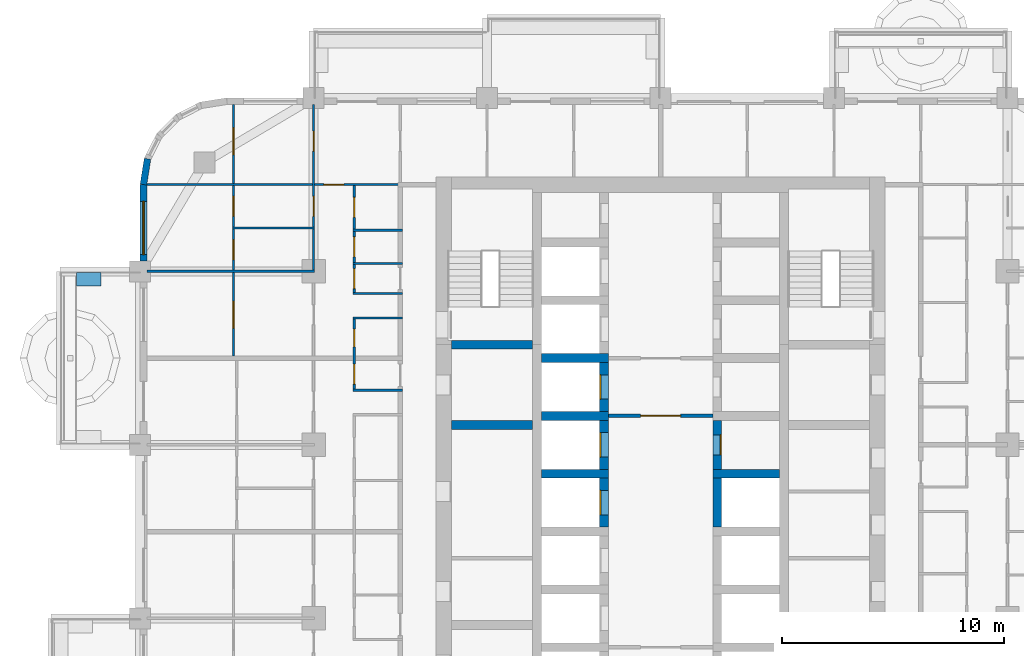
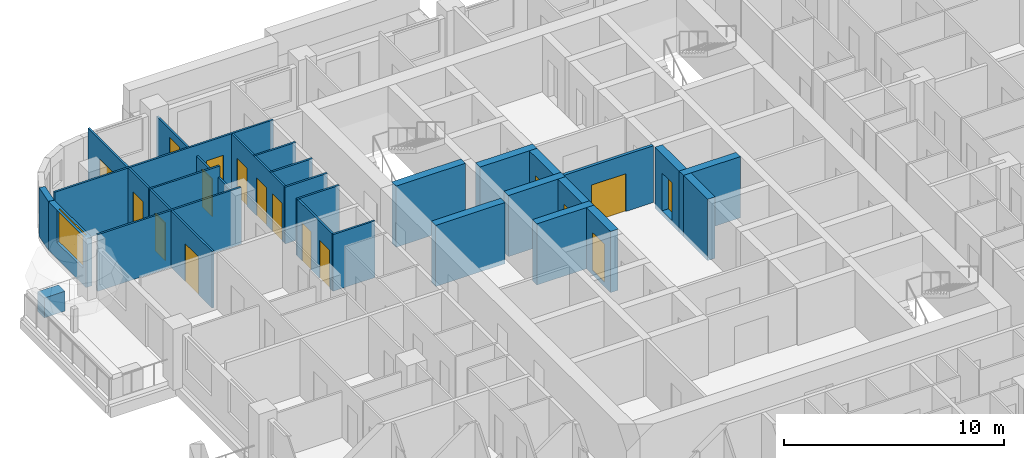
# One storey, part 10 of 19: 27 walls, 17 doors, 1 window, 18 openings.
"""IFC4 building model written with IfcOpenShell, lengths in metres."""

import ifcopenshell
import ifcopenshell.guid

model = None  # the IFC model being written
_history = None  # IfcOwnerHistory: only IFC2X3 demands one
_inside = {}  # id of a spatial element -> (the spatial element, [elements in it])
_under = {}  # id of a project, library or spatial element -> (it, [spatial elements below it])
_declared = {}  # id of a project -> (the project, [libraries it declares])
_typed = {}  # id of a type object -> (the type object, [elements of that type])
_made_of = {}  # id of a material, layer set ... -> (it, [elements and type objects made of it])


def new_model(schema):
    """Start an empty IFC model of exactly this schema.

    Asked for "IFC4X3", IfcOpenShell would pick the latest addendum, in which some entities
    have other attributes; the version numbers below select the first issue.
    IFC2X3 requires an IfcOwnerHistory on every rooted entity: one is made here for all.
    """
    global model, _history
    if schema == "IFC4X3":
        model = ifcopenshell.file(schema_version=(4, 3, 0, 0))
    else:
        model = ifcopenshell.file(schema=schema)
    _inside.clear()
    _under.clear()
    _declared.clear()
    _typed.clear()
    _made_of.clear()
    _history = None
    if model.schema == "IFC2X3":
        org = make("IfcOrganization", Name="unknown")
        user = make(
            "IfcPersonAndOrganization",
            ThePerson=make("IfcPerson", FamilyName="unknown"),
            TheOrganization=org,
        )
        app = make(
            "IfcApplication",
            ApplicationDeveloper=org,
            Version="unknown",
            ApplicationFullName="unknown",
            ApplicationIdentifier="unknown",
        )
        _history = make(
            "IfcOwnerHistory",
            OwningUser=user,
            OwningApplication=app,
            ChangeAction="ADDED",
            CreationDate=0,
        )
    return model


def make(cls, **values):
    """One entity of the class cls with the attributes given. An attribute that is None is left unset."""
    return model.create_entity(
        cls, **{name: value for name, value in values.items() if value is not None}
    )


def rooted(cls, **values):
    """An entity with a GlobalId (a new one), such as an element, a storey or a relation."""
    return make(cls, GlobalId=ifcopenshell.guid.new(), OwnerHistory=_history, **values)


def si_unit(unit_type, name, prefix=None):
    """IfcSIUnit, for example si_unit("LENGTHUNIT", "METRE", prefix="MILLI")."""
    return make("IfcSIUnit", UnitType=unit_type, Prefix=prefix, Name=name)


def assignment(units):
    """IfcUnitAssignment: the units of a project."""
    return None if units is None else make("IfcUnitAssignment", Units=units)


def point(xyz):
    """IfcCartesianPoint."""
    return None if xyz is None else make("IfcCartesianPoint", Coordinates=xyz)


def direction(xyz):
    """IfcDirection."""
    return None if xyz is None else make("IfcDirection", DirectionRatios=xyz)


def frame(location, z_axis=None, x_axis=None):
    """IfcAxis2Placement3D, a coordinate frame: its origin and axes. An axis left out is left unset."""
    return make(
        "IfcAxis2Placement3D",
        Location=point(location),
        Axis=direction(z_axis),
        RefDirection=direction(x_axis),
    )


def frame_2d(location, x_axis=None):
    """IfcAxis2Placement2D, a coordinate frame in the plane: its origin and x axis."""
    return make(
        "IfcAxis2Placement2D", Location=point(location), RefDirection=direction(x_axis)
    )


def origin():
    """The frame at (0, 0, 0) with its axes left unset."""
    return frame((0.0, 0.0, 0.0))


def place(relative_to, where):
    """IfcLocalPlacement: puts the frame where relative to a parent placement (None: the world)."""
    return make(
        "IfcLocalPlacement", PlacementRelTo=relative_to, RelativePlacement=where
    )


def context(
    kind, dimensions, precision=None, world=None, true_north=None, identifier=None
):
    """IfcGeometricRepresentationContext, for example the 3D "Model" context."""
    return make(
        "IfcGeometricRepresentationContext",
        ContextIdentifier=identifier,
        ContextType=kind,
        CoordinateSpaceDimension=dimensions,
        Precision=precision,
        WorldCoordinateSystem=world,
        TrueNorth=true_north,
    )


def subcontext(parent, identifier, kind, view, scale=None):
    """IfcGeometricRepresentationSubContext, for example "Body" below "Model"."""
    return make(
        "IfcGeometricRepresentationSubContext",
        ContextIdentifier=identifier,
        ContextType=kind,
        ParentContext=parent,
        TargetScale=scale,
        TargetView=view,
    )


def project(units=None, contexts=None):
    """IfcProject with its units and contexts."""
    return rooted(
        "IfcProject",
        Name="project",
        RepresentationContexts=contexts,
        UnitsInContext=assignment(units),
    )


def spatial(cls, under=None, at=None, **own):
    """A site, building, storey or space (cls), placed at a placement, below another one or the project."""
    s = rooted(cls, ObjectPlacement=at, **own)
    if under is not None:
        _under.setdefault(under.id(), (under, []))[1].append(s)
    return s


def profile(cls, at=None, kind="AREA", **sizes):
    """A parametric profile (cls). Its sizes go by their IFC names, for example OverallWidth=200.0."""
    return make(cls, ProfileType=kind, Position=at, **sizes)


def rectangle(**sizes):
    """IfcRectangleProfileDef."""
    return profile("IfcRectangleProfileDef", **sizes)


def extrude(swept, where, along, depth):
    """IfcExtrudedAreaSolid: the profile swept, set in the frame where, extruded along a direction by depth."""
    return make(
        "IfcExtrudedAreaSolid",
        SweptArea=swept,
        Position=where,
        ExtrudedDirection=direction(along),
        Depth=depth,
    )


def shape(context_of_items, identifier, shape_type, items):
    """IfcShapeRepresentation: the items that make up one representation, for example the "Body"."""
    return make(
        "IfcShapeRepresentation",
        ContextOfItems=context_of_items,
        RepresentationIdentifier=identifier,
        RepresentationType=shape_type,
        Items=items,
    )


def material(Name=None, Category=None):
    """IfcMaterial."""
    return make("IfcMaterial", Name=Name, Category=Category)


def layer(
    of_material, thickness, ventilated=None, Name=None, Category=None, Priority=None
):
    """IfcMaterialLayer: one layer of a wall or slab, of a material (None: an air gap)."""
    return make(
        "IfcMaterialLayer",
        Material=of_material,
        LayerThickness=thickness,
        IsVentilated=ventilated,
        Name=Name,
        Category=Category,
        Priority=Priority,
    )


def layer_set(layers, Name=None):
    """IfcMaterialLayerSet."""
    return make("IfcMaterialLayerSet", MaterialLayers=layers, LayerSetName=Name)


def made_of(thing, what):
    """Note that an element or type object is made of a material, layer set ...; save() writes the relation."""
    if what is not None:
        _made_of.setdefault(what.id(), (what, []))[1].append(thing)
    return thing


def type_object(cls, material=None, **own):
    """A type object (cls), such as IfcWallType, which elements share."""
    return made_of(rooted(cls, **own), material)


def element(
    cls,
    number,
    at=None,
    inside=None,
    cuts=None,
    type_object=None,
    material=None,
    context=None,
    identifier="Body",
    shape_type=None,
    held_by="IfcProductDefinitionShape",
    body=None,
    shapes=None,
    **own,
):
    """One element of the class cls, such as IfcWall. Its Tag is "e" and its number.

    at: its placement. inside: the storey or other place that contains it. cuts: it is an
    opening in that element (IfcRelVoidsElement). A single representation is given by context,
    identifier, shape_type and body (its items); several are given by shapes. held_by: the class
    of the entity that holds the representations. save() writes the other relations.
    """
    e = rooted(cls, Tag="e%d" % number, ObjectPlacement=at, **own)
    if body is not None:
        shapes = [shape(context, identifier, shape_type, body)]
    if shapes is not None:
        e.Representation = make(held_by, Representations=shapes)
    if inside is not None:
        _inside.setdefault(inside.id(), (inside, []))[1].append(e)
    if cuts is not None:
        rooted(
            "IfcRelVoidsElement", RelatingBuildingElement=cuts, RelatedOpeningElement=e
        )
    if type_object is not None:
        _typed.setdefault(type_object.id(), (type_object, []))[1].append(e)
    return made_of(e, material)


def fill(opening, filler):
    """IfcRelFillsElement: the door or window that sits in an opening."""
    return rooted(
        "IfcRelFillsElement",
        RelatingOpeningElement=opening,
        RelatedBuildingElement=filler,
    )


def aggregate(whole, parts):
    """IfcRelAggregates: a whole, such as a stair, and the parts it consists of."""
    return rooted("IfcRelAggregates", RelatingObject=whole, RelatedObjects=parts)


def save(model, path):
    """Write the relations noted so far, then the file.

    IfcRelAggregates (storeys below a building ...), IfcRelContainedInSpatialStructure (elements
    in a storey), IfcRelDefinesByType, IfcRelAssociatesMaterial and IfcRelDeclares: one each for
    every whole, place, type object, material and project.
    """
    for whole, parts in _under.values():
        aggregate(whole, parts)
    for where, things in _inside.values():
        rooted(
            "IfcRelContainedInSpatialStructure",
            RelatedElements=things,
            RelatingStructure=where,
        )
    for kind, things in _typed.values():
        rooted("IfcRelDefinesByType", RelatedObjects=things, RelatingType=kind)
    for what, things in _made_of.values():
        rooted("IfcRelAssociatesMaterial", RelatedObjects=things, RelatingMaterial=what)
    for by, libraries in _declared.values():
        rooted("IfcRelDeclares", RelatingContext=by, RelatedDefinitions=libraries)
    model.write(path)


model = new_model("IFC4")

# Units and contexts
model_context = context("Model", 3, precision=1e-05, world=origin(), true_north=direction((0.0, 1.0)))
body_context = subcontext(model_context, "Body", "Model", "MODEL_VIEW")
ifc_project = project(units=[si_unit("LENGTHUNIT", "METRE"), si_unit("AREAUNIT", "SQUARE_METRE"), si_unit("VOLUMEUNIT", "CUBIC_METRE"), si_unit("PLANEANGLEUNIT", "RADIAN"), si_unit("MASSUNIT", "GRAM", prefix="KILO")], contexts=[model_context])

# Site, building, storey
site_placement = place(None, origin())
site = spatial("IfcSite", under=ifc_project, at=site_placement, CompositionType="ELEMENT")
building_placement = place(site_placement, origin())
building = spatial("IfcBuilding", under=site, at=building_placement, Name="Ludao Terraces", CompositionType="ELEMENT")
storey_placement = place(building_placement, frame((0.0, 0.0, 68.199951171875)))
storey = spatial("IfcBuildingStorey", under=building, at=storey_placement, Name="L18", CompositionType="ELEMENT", Elevation=68.199951171875)

# Wall
ifc_material_1 = material(Name="Concrete C40", Category="concrete")
ifc_layer_1 = layer(ifc_material_1, 0.60009765625)
ifc_layer_set_1 = layer_set([ifc_layer_1], Name="ENV Planter trough 600")
wall_type_1 = type_object("IfcWallType", Name="ENV Planter trough 600", PredefinedType="USERDEFINED", material=ifc_layer_set_1)
wall_1_placement = place(storey_placement, frame((58.75, 80.25, 0.0), z_axis=(0.0, 0.0, 1.0), x_axis=(1.0, 0.0, 0.0)))
element("IfcWall", 1, at=wall_1_placement, inside=storey, type_object=wall_type_1, Name="PL-L18-W4-SB", ObjectType="PLANTER", PredefinedType="USERDEFINED", context=body_context, shape_type="SweptSolid", body=[
    extrude(rectangle(XDim=1.10009765625, YDim=0.60009765625, at=frame_2d((0.550048828125, 0.0))), origin(), (0.0, 0.0, 1.0), 1.10009765625),
])

# Wall, opening, window
ifc_material_2 = material(Name="Granite cladding", Category="masonry")
ifc_layer_2 = layer(ifc_material_2, 0.0400390625, Category="stone")
ifc_material_3 = material(Name="Mineral wool")
ifc_layer_3 = layer(ifc_material_3, 0.06005859375)
ifc_layer_4 = layer(ifc_material_1, 0.199951171875, Category="concrete")
ifc_layer_set_2 = layer_set([ifc_layer_2, ifc_layer_3, ifc_layer_4], Name="ENV Stone-clad wall 300")
wall_type_2 = type_object("IfcWallType", Name="ENV Stone-clad wall 300", PredefinedType="SOLIDWALL", material=ifc_layer_set_2)
wall_2_placement = place(storey_placement, frame((61.75, 81.074951171875, 0.0), z_axis=(0.0, 0.0, 1.0), x_axis=(0.0, 1.0, 0.0)))
wall_2 = element("IfcWall", 2, at=wall_2_placement, inside=storey, type_object=wall_type_2, Name="EW-L18-W6", PredefinedType="SOLIDWALL", context=body_context, shape_type="SweptSolid", body=[
    extrude(rectangle(XDim=3.425048828125, YDim=0.300048828125, at=frame_2d((1.71240234375, 0.0))), origin(), (0.0, 0.0, 1.0), 2.699951171875),
])
opening_1_placement = place(wall_2_placement, frame((0.27490234375, 0.0, 0.89990234375)))
opening_1 = element("IfcOpeningElement", 3, at=opening_1_placement, cuts=wall_2, Name="Opening W1", PredefinedType="OPENING", context=body_context, shape_type="SweptSolid", body=[
    extrude(rectangle(XDim=2.39990234375, YDim=1.800048828125, at=frame_2d((1.199951171875, 0.89990234375))), frame((0.0, 0.16015625, 0.0), z_axis=(0.0, -1.0, 0.0), x_axis=(1.0, 0.0, 0.0)), (0.0, 0.0, 1.0), 0.320068359375),
])
ifc_material_4 = material(Name="Clear glass in aluminium frame", Category="aluminium")
ifc_layer_5 = layer(ifc_material_4, 0.06005859375)
ifc_layer_set_3 = layer_set([ifc_layer_5], Name="ENV Window W1 2400x1800")
window_type = type_object("IfcWindowType", Name="ENV Window W1 2400x1800", PartitioningType="DOUBLE_PANEL_VERTICAL", PredefinedType="WINDOW", material=ifc_layer_set_3)
window_placement = place(opening_1_placement, origin())
window = element("IfcWindow", 4, at=window_placement, inside=storey, type_object=window_type, Name="W-L18-W6-1", OverallHeight=1.800048828125, OverallWidth=2.39990234375, PartitioningType="DOUBLE_PANEL_VERTICAL", PredefinedType="WINDOW", context=body_context, shape_type="SweptSolid", body=[
    extrude(rectangle(XDim=2.39990234375, YDim=1.800048828125, at=frame_2d((1.199951171875, 0.89990234375))), frame((0.0, 0.030029296875, 0.0), z_axis=(0.0, -1.0, 0.0), x_axis=(1.0, 0.0, 0.0)), (0.0, 0.0, 1.0), 0.06005859375),
])
fill(opening_1, window)

# Wall
wall_3_placement = place(storey_placement, frame((61.93359375, 85.65869140625, 0.0), z_axis=(0.0, 0.0, 1.0), x_axis=(-0.156496880861, -0.987678452879, 0.0)))
element("IfcWall", 5, at=wall_3_placement, inside=storey, type_object=wall_type_2, Name="EW-L18-NW5", PredefinedType="SOLIDWALL", context=body_context, shape_type="SweptSolid", body=[
    extrude(rectangle(XDim=1.173095703125, YDim=0.300048828125, at=frame_2d((0.58642578125, 0.0))), origin(), (0.0, 0.0, 1.0), 2.699951171875),
])

# Wall, opening, door
ifc_material_5 = material(Name="Fire-rated gypsum plasterboard", Category="gypsum")
ifc_layer_6 = layer(ifc_material_5, 0.012451171875, Category="gypsum")
ifc_layer_7 = layer(ifc_material_3, 0.10009765625, Name="insulation")
ifc_material_6 = material(Name="Steel Q235", Category="steel")
ifc_layer_8 = layer(ifc_material_6, 0.02490234375, Name="stud")
ifc_layer_9 = layer(ifc_material_5, 0.012451171875, Category="gypsum")
ifc_layer_set_4 = layer_set([ifc_layer_6, ifc_layer_7, ifc_layer_8, ifc_layer_9], Name="INT Core partition 150")
wall_type_3 = type_object("IfcWallType", Name="INT Core partition 150", PredefinedType="PARTITIONING", material=ifc_layer_set_4)
wall_4_placement = place(storey_placement, frame((82.650146484375, 74.10009765625, 0.0), z_axis=(0.0, 0.0, 1.0), x_axis=(1.0, 0.0, 0.0)))
wall_4 = element("IfcWall", 6, at=wall_4_placement, inside=storey, type_object=wall_type_3, Name="PW-L18-PW058", PredefinedType="PARTITIONING", context=body_context, shape_type="SweptSolid", body=[
    extrude(rectangle(XDim=4.699951171875, YDim=0.14990234375, at=frame_2d((2.35009765625, 0.0))), origin(), (0.0, 0.0, 1.0), 3.150146484375),
])
opening_2_placement = place(wall_4_placement, frame((1.449951171875, 0.0, 0.0)))
opening_2 = element("IfcOpeningElement", 7, at=opening_2_placement, cuts=wall_4, Name="Opening R05-118", PredefinedType="OPENING", context=body_context, shape_type="SweptSolid", body=[
    extrude(rectangle(XDim=1.800048828125, YDim=2.10009765625, at=frame_2d((0.89990234375, 1.050048828125))), frame((0.0, 0.0849609375, 0.0), z_axis=(0.0, -1.0, 0.0), x_axis=(1.0, 0.0, 0.0)), (0.0, 0.0, 1.0), 0.169921875),
])
door_type_1 = type_object("IfcDoorType", Name="INT Fire lobby door 1800", OperationType="DOUBLE_DOOR_SINGLE_SWING", PredefinedType="DOOR", material=ifc_material_6)
door_1_placement = place(opening_2_placement, origin())
door_1 = element("IfcDoor", 8, at=door_1_placement, inside=storey, type_object=door_type_1, Name="DOOR 118", OperationType="DOUBLE_DOOR_SINGLE_SWING", OverallHeight=2.10009765625, OverallWidth=1.800048828125, PredefinedType="DOOR", context=body_context, shape_type="SweptSolid", body=[
    extrude(rectangle(XDim=1.800048828125, YDim=2.10009765625, at=frame_2d((0.89990234375, 1.050048828125))), frame((0.0, 0.02490234375, 0.0), z_axis=(0.0, -1.0, 0.0), x_axis=(1.0, 0.0, 0.0)), (0.0, 0.0, 1.0), 0.050048828125),
])
fill(opening_2, door_1)

# Walls
ifc_material_7 = material(Name="Gypsum plasterboard", Category="gypsum")
ifc_layer_10 = layer(ifc_material_7, 0.012451171875, Category="gypsum")
ifc_layer_11 = layer(ifc_material_3, 0.06005859375, Name="insulation")
ifc_layer_12 = layer(ifc_material_6, 0.014892578125, Name="stud")
ifc_layer_13 = layer(ifc_material_7, 0.012451171875, Category="gypsum")
ifc_layer_set_5 = layer_set([ifc_layer_10, ifc_layer_11, ifc_layer_12, ifc_layer_13], Name="INT Partition 100")
wall_type_4 = type_object("IfcWallType", Name="INT Partition 100", PredefinedType="PARTITIONING", material=ifc_layer_set_5)
for number, where, z_axis, x_axis, name in (
    (9, (71.18017578125, 75.25, 0.0), (0.0, 0.0, 1.0), (1.0, 0.0, 0.0), "PW-L18-PW062"),
    (10, (71.18017578125, 78.5, 0.0), (0.0, 0.0, 1.0), (1.0, 0.0, 0.0), "PW-L18-PW067"),
    (11, (71.18017578125, 79.60009765625, 0.0), (0.0, 0.0, 1.0), (1.0, 0.0, 0.0), "PW-L18-PW069"),
):
    element("IfcWall", number, at=place(storey_placement, frame(where, z_axis=z_axis, x_axis=x_axis)), inside=storey, type_object=wall_type_4, Name=name, PredefinedType="PARTITIONING", context=body_context, shape_type="SweptSolid", body=[
        extrude(rectangle(XDim=2.219970703125, YDim=0.10009765625, at=frame_2d((1.10986328125, 0.0))), origin(), (0.0, 0.0, 1.0), 3.150146484375),
    ])
wall_5_placement = place(storey_placement, frame((61.900146484375, 80.60009765625, 0.0), z_axis=(0.0, 0.0, 1.0), x_axis=(1.0, 0.0, 0.0)))
element("IfcWall", 12, at=wall_5_placement, inside=storey, type_object=wall_type_4, Name="PW-L18-PW070", PredefinedType="PARTITIONING", context=body_context, shape_type="SweptSolid", body=[
    extrude(rectangle(XDim=7.550048828125, YDim=0.10009765625, at=frame_2d((3.77490234375, 0.0))), origin(), (0.0, 0.0, 1.0), 3.150146484375),
])
for number, where, z_axis, x_axis, name in (
    (13, (71.18017578125, 80.949951171875, 0.0), (0.0, 0.0, 1.0), (1.0, 0.0, 0.0), "PW-L18-PW072"),
    (14, (71.18017578125, 82.449951171875, 0.0), (0.0, 0.0, 1.0), (1.0, 0.0, 0.0), "PW-L18-PW074"),
):
    element("IfcWall", number, at=place(storey_placement, frame(where, z_axis=z_axis, x_axis=x_axis)), inside=storey, type_object=wall_type_4, Name=name, PredefinedType="PARTITIONING", context=body_context, shape_type="SweptSolid", body=[
        extrude(rectangle(XDim=2.219970703125, YDim=0.10009765625, at=frame_2d((1.10986328125, 0.0))), origin(), (0.0, 0.0, 1.0), 3.150146484375),
    ])
wall_6_placement = place(storey_placement, frame((65.75, 82.550048828125, 0.0), z_axis=(0.0, 0.0, 1.0), x_axis=(1.0, 0.0, 0.0)))
element("IfcWall", 15, at=wall_6_placement, inside=storey, type_object=wall_type_4, Name="PW-L18-PW075", PredefinedType="PARTITIONING", context=body_context, shape_type="SweptSolid", body=[
    extrude(rectangle(XDim=3.7001953125, YDim=0.10009765625, at=frame_2d((1.85009765625, 0.0))), origin(), (0.0, 0.0, 1.0), 3.150146484375),
])

# Wall, opening, door
wall_7_placement = place(storey_placement, frame((61.900146484375, 84.5, 0.0), z_axis=(0.0, 0.0, 1.0), x_axis=(1.0, 0.0, 0.0)))
wall_7 = element("IfcWall", 16, at=wall_7_placement, inside=storey, type_object=wall_type_4, Name="PW-L18-PW077", PredefinedType="PARTITIONING", context=body_context, shape_type="SweptSolid", body=[
    extrude(rectangle(XDim=11.5, YDim=0.10009765625, at=frame_2d((5.75, 0.0))), origin(), (0.0, 0.0, 1.0), 3.150146484375),
])
opening_3_placement = place(wall_7_placement, frame((7.965087890625, 0.0, 0.0)))
opening_3 = element("IfcOpeningElement", 17, at=opening_3_placement, cuts=wall_7, Name="Opening R05-157", PredefinedType="OPENING", context=body_context, shape_type="SweptSolid", body=[
    extrude(rectangle(XDim=0.89990234375, YDim=2.10009765625, at=frame_2d((0.449951171875, 1.050048828125))), frame((0.0, 0.06005859375, 0.0), z_axis=(0.0, -1.0, 0.0), x_axis=(1.0, 0.0, 0.0)), (0.0, 0.0, 1.0), 0.1201171875),
])
ifc_material_8 = material(Name="Timber door leaf", Category="wood")
door_type_2 = type_object("IfcDoorType", Name="INT Room door 900", OperationType="SINGLE_SWING_LEFT", PredefinedType="DOOR", material=ifc_material_8)
door_2_placement = place(opening_3_placement, origin())
door_2 = element("IfcDoor", 18, at=door_2_placement, inside=storey, type_object=door_type_2, Name="DOOR 157", OperationType="SINGLE_SWING_RIGHT", OverallHeight=2.10009765625, OverallWidth=0.89990234375, PredefinedType="DOOR", context=body_context, shape_type="SweptSolid", body=[
    extrude(rectangle(XDim=0.89990234375, YDim=2.10009765625, at=frame_2d((0.449951171875, 1.050048828125))), frame((0.0, 0.02490234375, 0.0), z_axis=(0.0, -1.0, 0.0), x_axis=(1.0, 0.0, 0.0)), (0.0, 0.0, 1.0), 0.050048828125),
])
fill(opening_3, door_2)

# Wall, openings, doors
wall_8_placement = place(storey_placement, frame((65.800048828125, 76.800048828125, 0.0), z_axis=(0.0, 0.0, 1.0), x_axis=(0.0, 1.0, 0.0)))
wall_8 = element("IfcWall", 19, at=wall_8_placement, inside=storey, type_object=wall_type_4, Name="PW-L18-PW082", PredefinedType="PARTITIONING", context=body_context, shape_type="SweptSolid", body=[
    extrude(rectangle(XDim=11.300048828125, YDim=0.10009765625, at=frame_2d((5.64990234375, 0.0))), origin(), (0.0, 0.0, 1.0), 3.150146484375),
])
opening_4_placement = place(wall_8_placement, frame((1.25, 0.0, 0.0)))
opening_4 = element("IfcOpeningElement", 20, at=opening_4_placement, cuts=wall_8, Name="Opening R05-137", PredefinedType="OPENING", context=body_context, shape_type="SweptSolid", body=[
    extrude(rectangle(XDim=1.199951171875, YDim=2.10009765625, at=frame_2d((0.60009765625, 1.050048828125))), frame((0.0, 0.06005859375, 0.0), z_axis=(0.0, -1.0, 0.0), x_axis=(1.0, 0.0, 0.0)), (0.0, 0.0, 1.0), 0.1201171875),
])
opening_5_placement = place(wall_8_placement, frame((4.324951171875, 0.0, 0.0)))
opening_5 = element("IfcOpeningElement", 21, at=opening_5_placement, cuts=wall_8, Name="Opening R05-146", PredefinedType="OPENING", context=body_context, shape_type="SweptSolid", body=[
    extrude(rectangle(XDim=0.89990234375, YDim=2.10009765625, at=frame_2d((0.449951171875, 1.050048828125))), frame((0.0, 0.06005859375, 0.0), z_axis=(0.0, -1.0, 0.0), x_axis=(1.0, 0.0, 0.0)), (0.0, 0.0, 1.0), 0.1201171875),
])
opening_6_placement = place(wall_8_placement, frame((6.27490234375, 0.0, 0.0)))
opening_6 = element("IfcOpeningElement", 22, at=opening_6_placement, cuts=wall_8, Name="Opening R05-153", PredefinedType="OPENING", context=body_context, shape_type="SweptSolid", body=[
    extrude(rectangle(XDim=0.89990234375, YDim=2.10009765625, at=frame_2d((0.449951171875, 1.050048828125))), frame((0.0, 0.06005859375, 0.0), z_axis=(0.0, -1.0, 0.0), x_axis=(1.0, 0.0, 0.0)), (0.0, 0.0, 1.0), 0.1201171875),
])
opening_7_placement = place(wall_8_placement, frame((9.050048828125, 0.0, 0.0)))
opening_7 = element("IfcOpeningElement", 23, at=opening_7_placement, cuts=wall_8, Name="Opening R05-159", PredefinedType="OPENING", context=body_context, shape_type="SweptSolid", body=[
    extrude(rectangle(XDim=1.199951171875, YDim=2.10009765625, at=frame_2d((0.60009765625, 1.050048828125))), frame((0.0, 0.06005859375, 0.0), z_axis=(0.0, -1.0, 0.0), x_axis=(1.0, 0.0, 0.0)), (0.0, 0.0, 1.0), 0.1201171875),
])
door_type_3 = type_object("IfcDoorType", Name="INT Bathroom door 900", OperationType="SINGLE_SWING_LEFT", PredefinedType="DOOR", material=ifc_material_8)
door_3_placement = place(opening_5_placement, origin())
door_3 = element("IfcDoor", 24, at=door_3_placement, inside=storey, type_object=door_type_3, Name="DOOR 146", OperationType="SINGLE_SWING_RIGHT", OverallHeight=2.10009765625, OverallWidth=0.89990234375, PredefinedType="DOOR", context=body_context, shape_type="SweptSolid", body=[
    extrude(rectangle(XDim=0.89990234375, YDim=2.10009765625, at=frame_2d((0.449951171875, 1.050048828125))), frame((0.0, 0.02490234375, 0.0), z_axis=(0.0, -1.0, 0.0), x_axis=(1.0, 0.0, 0.0)), (0.0, 0.0, 1.0), 0.050048828125),
])
fill(opening_5, door_3)
door_type_4 = type_object("IfcDoorType", Name="INT Double door 1200", OperationType="DOUBLE_DOOR_SINGLE_SWING", PredefinedType="DOOR", material=ifc_material_8)
door_4_placement = place(opening_4_placement, origin())
door_4 = element("IfcDoor", 25, at=door_4_placement, inside=storey, type_object=door_type_4, Name="DOOR 137", OperationType="DOUBLE_DOOR_SINGLE_SWING", OverallHeight=2.10009765625, OverallWidth=1.199951171875, PredefinedType="DOOR", context=body_context, shape_type="SweptSolid", body=[
    extrude(rectangle(XDim=1.199951171875, YDim=2.10009765625, at=frame_2d((0.60009765625, 1.050048828125))), frame((0.0, 0.02490234375, 0.0), z_axis=(0.0, -1.0, 0.0), x_axis=(1.0, 0.0, 0.0)), (0.0, 0.0, 1.0), 0.050048828125),
])
fill(opening_4, door_4)
door_5_placement = place(opening_7_placement, origin())
door_5 = element("IfcDoor", 26, at=door_5_placement, inside=storey, type_object=door_type_4, Name="DOOR 159", OperationType="DOUBLE_DOOR_SINGLE_SWING", OverallHeight=2.10009765625, OverallWidth=1.199951171875, PredefinedType="DOOR", context=body_context, shape_type="SweptSolid", body=[
    extrude(rectangle(XDim=1.199951171875, YDim=2.10009765625, at=frame_2d((0.60009765625, 1.050048828125))), frame((0.0, 0.02490234375, 0.0), z_axis=(0.0, -1.0, 0.0), x_axis=(1.0, 0.0, 0.0)), (0.0, 0.0, 1.0), 0.050048828125),
])
fill(opening_7, door_5)
door_6_placement = place(opening_6_placement, origin())
door_6 = element("IfcDoor", 27, at=door_6_placement, inside=storey, type_object=door_type_2, Name="DOOR 153", OperationType="SINGLE_SWING_RIGHT", OverallHeight=2.10009765625, OverallWidth=0.89990234375, PredefinedType="DOOR", context=body_context, shape_type="SweptSolid", body=[
    extrude(rectangle(XDim=0.89990234375, YDim=2.10009765625, at=frame_2d((0.449951171875, 1.050048828125))), frame((0.0, 0.02490234375, 0.0), z_axis=(0.0, -1.0, 0.0), x_axis=(1.0, 0.0, 0.0)), (0.0, 0.0, 1.0), 0.050048828125),
])
fill(opening_6, door_6)

wall_9_placement = place(storey_placement, frame((69.39990234375, 80.60009765625, 0.0), z_axis=(0.0, 0.0, 1.0), x_axis=(0.0, 1.0, 0.0)))
wall_9 = element("IfcWall", 28, at=wall_9_placement, inside=storey, type_object=wall_type_4, Name="PW-L18-PW085-3", PredefinedType="PARTITIONING", context=body_context, shape_type="SweptSolid", body=[
    extrude(rectangle(XDim=7.5, YDim=0.10009765625, at=frame_2d((3.75, 0.0))), origin(), (0.0, 0.0, 1.0), 2.550048828125),
])
opening_8_placement = place(wall_9_placement, frame((2.47509765625, 0.0, 0.0)))
opening_8 = element("IfcOpeningElement", 29, at=opening_8_placement, cuts=wall_9, Name="Opening R05-154", PredefinedType="OPENING", context=body_context, shape_type="SweptSolid", body=[
    extrude(rectangle(XDim=0.89990234375, YDim=2.10009765625, at=frame_2d((0.449951171875, 1.050048828125))), frame((0.0, 0.06005859375, 0.0), z_axis=(0.0, -1.0, 0.0), x_axis=(1.0, 0.0, 0.0)), (0.0, 0.0, 1.0), 0.1201171875),
])
opening_9_placement = place(wall_9_placement, frame((5.39990234375, 0.0, 0.0)))
opening_9 = element("IfcOpeningElement", 30, at=opening_9_placement, cuts=wall_9, Name="Opening R05-160", PredefinedType="OPENING", context=body_context, shape_type="SweptSolid", body=[
    extrude(rectangle(XDim=0.89990234375, YDim=2.10009765625, at=frame_2d((0.449951171875, 1.050048828125))), frame((0.0, 0.06005859375, 0.0), z_axis=(0.0, -1.0, 0.0), x_axis=(1.0, 0.0, 0.0)), (0.0, 0.0, 1.0), 0.1201171875),
])
door_7_placement = place(opening_8_placement, origin())
door_7 = element("IfcDoor", 31, at=door_7_placement, inside=storey, type_object=door_type_2, Name="DOOR 154", OperationType="SINGLE_SWING_LEFT", OverallHeight=2.10009765625, OverallWidth=0.89990234375, PredefinedType="DOOR", context=body_context, shape_type="SweptSolid", body=[
    extrude(rectangle(XDim=0.89990234375, YDim=2.10009765625, at=frame_2d((0.449951171875, 1.050048828125))), frame((0.0, 0.02490234375, 0.0), z_axis=(0.0, -1.0, 0.0), x_axis=(1.0, 0.0, 0.0)), (0.0, 0.0, 1.0), 0.050048828125),
])
fill(opening_8, door_7)
door_8_placement = place(opening_9_placement, origin())
door_8 = element("IfcDoor", 32, at=door_8_placement, inside=storey, type_object=door_type_2, Name="DOOR 160", OperationType="SINGLE_SWING_RIGHT", OverallHeight=2.10009765625, OverallWidth=0.89990234375, PredefinedType="DOOR", context=body_context, shape_type="SweptSolid", body=[
    extrude(rectangle(XDim=0.89990234375, YDim=2.10009765625, at=frame_2d((0.449951171875, 1.050048828125))), frame((0.0, 0.02490234375, 0.0), z_axis=(0.0, -1.0, 0.0), x_axis=(1.0, 0.0, 0.0)), (0.0, 0.0, 1.0), 0.050048828125),
])
fill(opening_9, door_8)

wall_10_placement = place(storey_placement, frame((71.22998046875, 75.300048828125, 0.0), z_axis=(0.0, 0.0, 1.0), x_axis=(0.0, 1.0, 0.0)))
wall_10 = element("IfcWall", 33, at=wall_10_placement, inside=storey, type_object=wall_type_4, Name="PW-L18-PW089", PredefinedType="PARTITIONING", context=body_context, shape_type="SweptSolid", body=[
    extrude(rectangle(XDim=3.150146484375, YDim=0.10009765625, at=frame_2d((1.5751953125, 0.0))), origin(), (0.0, 0.0, 1.0), 3.150146484375),
])
opening_10_placement = place(wall_10_placement, frame((0.22509765625, 0.0, 0.0)))
opening_10 = element("IfcOpeningElement", 34, at=opening_10_placement, cuts=wall_10, Name="Opening R05-128", PredefinedType="OPENING", context=body_context, shape_type="SweptSolid", body=[
    extrude(rectangle(XDim=0.89990234375, YDim=2.10009765625, at=frame_2d((0.449951171875, 1.050048828125))), frame((0.0, 0.06005859375, 0.0), z_axis=(0.0, -1.0, 0.0), x_axis=(1.0, 0.0, 0.0)), (0.0, 0.0, 1.0), 0.1201171875),
])
opening_11_placement = place(wall_10_placement, frame((1.89990234375, 0.0, 0.0)))
opening_11 = element("IfcOpeningElement", 35, at=opening_11_placement, cuts=wall_10, Name="Opening R05-132", PredefinedType="OPENING", context=body_context, shape_type="SweptSolid", body=[
    extrude(rectangle(XDim=0.800048828125, YDim=2.10009765625, at=frame_2d((0.39990234375, 1.050048828125))), frame((0.0, 0.06005859375, 0.0), z_axis=(0.0, -1.0, 0.0), x_axis=(1.0, 0.0, 0.0)), (0.0, 0.0, 1.0), 0.1201171875),
])
door_9_placement = place(opening_10_placement, origin())
door_9 = element("IfcDoor", 36, at=door_9_placement, inside=storey, type_object=door_type_3, Name="DOOR 128", OperationType="SINGLE_SWING_LEFT", OverallHeight=2.10009765625, OverallWidth=0.89990234375, PredefinedType="DOOR", context=body_context, shape_type="SweptSolid", body=[
    extrude(rectangle(XDim=0.89990234375, YDim=2.10009765625, at=frame_2d((0.449951171875, 1.050048828125))), frame((0.0, 0.02490234375, 0.0), z_axis=(0.0, -1.0, 0.0), x_axis=(1.0, 0.0, 0.0)), (0.0, 0.0, 1.0), 0.050048828125),
])
fill(opening_10, door_9)
door_type_5 = type_object("IfcDoorType", Name="INT Store door 800", OperationType="SINGLE_SWING_LEFT", PredefinedType="DOOR", material=ifc_material_8)
door_10_placement = place(opening_11_placement, origin())
door_10 = element("IfcDoor", 37, at=door_10_placement, inside=storey, type_object=door_type_5, Name="DOOR 132", OperationType="SINGLE_SWING_RIGHT", OverallHeight=2.10009765625, OverallWidth=0.800048828125, PredefinedType="DOOR", context=body_context, shape_type="SweptSolid", body=[
    extrude(rectangle(XDim=0.800048828125, YDim=2.10009765625, at=frame_2d((0.39990234375, 1.050048828125))), frame((0.0, 0.02490234375, 0.0), z_axis=(0.0, -1.0, 0.0), x_axis=(1.0, 0.0, 0.0)), (0.0, 0.0, 1.0), 0.050048828125),
])
fill(opening_11, door_10)

wall_11_placement = place(storey_placement, frame((71.22998046875, 79.650146484375, 0.0), z_axis=(0.0, 0.0, 1.0), x_axis=(0.0, 1.0, 0.0)))
wall_11 = element("IfcWall", 38, at=wall_11_placement, inside=storey, type_object=wall_type_4, Name="PW-L18-PW090", PredefinedType="PARTITIONING", context=body_context, shape_type="SweptSolid", body=[
    extrude(rectangle(XDim=4.800048828125, YDim=0.10009765625, at=frame_2d((2.39990234375, 0.0))), origin(), (0.0, 0.0, 1.0), 3.150146484375),
])
opening_12_placement = place(wall_11_placement, frame((0.175048828125, 0.0, 0.0)))
opening_12 = element("IfcOpeningElement", 39, at=opening_12_placement, cuts=wall_11, Name="Opening R05-141", PredefinedType="OPENING", context=body_context, shape_type="SweptSolid", body=[
    extrude(rectangle(XDim=0.89990234375, YDim=2.10009765625, at=frame_2d((0.449951171875, 1.050048828125))), frame((0.0, 0.06005859375, 0.0), z_axis=(0.0, -1.0, 0.0), x_axis=(1.0, 0.0, 0.0)), (0.0, 0.0, 1.0), 0.1201171875),
])
opening_13_placement = place(wall_11_placement, frame((1.60009765625, 0.0, 0.0)))
opening_13 = element("IfcOpeningElement", 40, at=opening_13_placement, cuts=wall_11, Name="Opening R05-148", PredefinedType="OPENING", context=body_context, shape_type="SweptSolid", body=[
    extrude(rectangle(XDim=0.89990234375, YDim=2.10009765625, at=frame_2d((0.449951171875, 1.050048828125))), frame((0.0, 0.06005859375, 0.0), z_axis=(0.0, -1.0, 0.0), x_axis=(1.0, 0.0, 0.0)), (0.0, 0.0, 1.0), 0.1201171875),
])
opening_14_placement = place(wall_11_placement, frame((3.375, 0.0, 0.0)))
opening_14 = element("IfcOpeningElement", 41, at=opening_14_placement, cuts=wall_11, Name="Opening R05-152", PredefinedType="OPENING", context=body_context, shape_type="SweptSolid", body=[
    extrude(rectangle(XDim=0.89990234375, YDim=2.10009765625, at=frame_2d((0.449951171875, 1.050048828125))), frame((0.0, 0.06005859375, 0.0), z_axis=(0.0, -1.0, 0.0), x_axis=(1.0, 0.0, 0.0)), (0.0, 0.0, 1.0), 0.1201171875),
])
door_11_placement = place(opening_12_placement, origin())
door_11 = element("IfcDoor", 42, at=door_11_placement, inside=storey, type_object=door_type_3, Name="DOOR 141", OperationType="SINGLE_SWING_RIGHT", OverallHeight=2.10009765625, OverallWidth=0.89990234375, PredefinedType="DOOR", context=body_context, shape_type="SweptSolid", body=[
    extrude(rectangle(XDim=0.89990234375, YDim=2.10009765625, at=frame_2d((0.449951171875, 1.050048828125))), frame((0.0, 0.02490234375, 0.0), z_axis=(0.0, -1.0, 0.0), x_axis=(1.0, 0.0, 0.0)), (0.0, 0.0, 1.0), 0.050048828125),
])
fill(opening_12, door_11)
door_12_placement = place(opening_13_placement, origin())
door_12 = element("IfcDoor", 43, at=door_12_placement, inside=storey, type_object=door_type_3, Name="DOOR 148", OperationType="SINGLE_SWING_RIGHT", OverallHeight=2.10009765625, OverallWidth=0.89990234375, PredefinedType="DOOR", context=body_context, shape_type="SweptSolid", body=[
    extrude(rectangle(XDim=0.89990234375, YDim=2.10009765625, at=frame_2d((0.449951171875, 1.050048828125))), frame((0.0, 0.02490234375, 0.0), z_axis=(0.0, -1.0, 0.0), x_axis=(1.0, 0.0, 0.0)), (0.0, 0.0, 1.0), 0.050048828125),
])
fill(opening_13, door_12)
door_13_placement = place(opening_14_placement, origin())
door_13 = element("IfcDoor", 44, at=door_13_placement, inside=storey, type_object=door_type_2, Name="DOOR 152", OperationType="SINGLE_SWING_LEFT", OverallHeight=2.10009765625, OverallWidth=0.89990234375, PredefinedType="DOOR", context=body_context, shape_type="SweptSolid", body=[
    extrude(rectangle(XDim=0.89990234375, YDim=2.10009765625, at=frame_2d((0.449951171875, 1.050048828125))), frame((0.0, 0.02490234375, 0.0), z_axis=(0.0, -1.0, 0.0), x_axis=(1.0, 0.0, 0.0)), (0.0, 0.0, 1.0), 0.050048828125),
])
fill(opening_14, door_13)

# Wall, opening, door
ifc_material_9 = material(Name="Concrete C60", Category="concrete")
ifc_layer_14 = layer(ifc_material_9, 0.39990234375)
ifc_layer_set_6 = layer_set([ifc_layer_14], Name="Shaft wall 400 C60")
wall_type_5 = type_object("IfcWallType", Name="Shaft wall 400 C60", PredefinedType="SOLIDWALL", material=ifc_layer_set_6)
wall_12_placement = place(storey_placement, frame((82.449951171875, 69.10009765625, -0.25), z_axis=(0.0, 0.0, 1.0), x_axis=(0.0, 1.0, 0.0)))
wall_12 = element("IfcWall", 45, at=wall_12_placement, inside=storey, type_object=wall_type_5, Name="Core wall L18 front-W4", PredefinedType="SOLIDWALL", context=body_context, shape_type="SweptSolid", body=[
    extrude(rectangle(XDim=2.199951171875, YDim=0.39990234375, at=frame_2d((1.10009765625, 0.0))), origin(), (0.0, 0.0, 1.0), 3.400146484375),
])
opening_15_placement = place(wall_12_placement, frame((0.550048828125, 0.0, 0.25)))
opening_15 = element("IfcOpeningElement", 46, at=opening_15_placement, cuts=wall_12, Name="Opening LD-LA4", PredefinedType="OPENING", context=body_context, shape_type="SweptSolid", body=[
    extrude(rectangle(XDim=1.10009765625, YDim=2.10009765625, at=frame_2d((0.550048828125, 1.050048828125))), frame((0.0, 0.2099609375, 0.0), z_axis=(0.0, -1.0, 0.0), x_axis=(1.0, 0.0, 0.0)), (0.0, 0.0, 1.0), 0.419921875),
])
ifc_material_10 = material(Name="Stainless steel 304", Category="steel")
door_type_6 = type_object("IfcDoorType", Name="INT Lift landing door 1100", OperationType="SLIDING_TO_LEFT", PredefinedType="DOOR", material=ifc_material_10)
door_14_placement = place(opening_15_placement, origin())
door_14 = element("IfcDoor", 47, at=door_14_placement, inside=storey, type_object=door_type_6, Name="LANDING DOOR LA4 L18", OperationType="SLIDING_TO_LEFT", OverallHeight=2.10009765625, OverallWidth=1.10009765625, PredefinedType="DOOR", context=body_context, shape_type="SweptSolid", body=[
    extrude(rectangle(XDim=1.10009765625, YDim=2.10009765625, at=frame_2d((0.550048828125, 1.050048828125))), frame((0.0, 0.18505859375, 0.0), z_axis=(0.0, -1.0, 0.0), x_axis=(1.0, 0.0, 0.0)), (0.0, 0.0, 1.0), 0.050048828125),
])
fill(opening_15, door_14)

# Wall
wall_13_placement = place(storey_placement, frame((79.64990234375, 71.5, -0.25), z_axis=(0.0, 0.0, 1.0), x_axis=(1.0, 0.0, 0.0)))
element("IfcWall", 48, at=wall_13_placement, inside=storey, type_object=wall_type_5, Name="Core wall L18 div-W5", PredefinedType="SOLIDWALL", context=body_context, shape_type="SweptSolid", body=[
    extrude(rectangle(XDim=3.0, YDim=0.39990234375, at=frame_2d((1.5, 0.0))), origin(), (0.0, 0.0, 1.0), 3.400146484375),
])

# Wall, opening, door
wall_14_placement = place(storey_placement, frame((82.449951171875, 71.699951171875, -0.25), z_axis=(0.0, 0.0, 1.0), x_axis=(0.0, 1.0, 0.0)))
wall_14 = element("IfcWall", 49, at=wall_14_placement, inside=storey, type_object=wall_type_5, Name="Core wall L18 front-W5", PredefinedType="SOLIDWALL", context=body_context, shape_type="SweptSolid", body=[
    extrude(rectangle(XDim=2.199951171875, YDim=0.39990234375, at=frame_2d((1.10009765625, 0.0))), origin(), (0.0, 0.0, 1.0), 3.400146484375),
])
opening_16_placement = place(wall_14_placement, frame((0.550048828125, 0.0, 0.25)))
opening_16 = element("IfcOpeningElement", 50, at=opening_16_placement, cuts=wall_14, Name="Opening LD-LA5", PredefinedType="OPENING", context=body_context, shape_type="SweptSolid", body=[
    extrude(rectangle(XDim=1.10009765625, YDim=2.10009765625, at=frame_2d((0.550048828125, 1.050048828125))), frame((0.0, 0.2099609375, 0.0), z_axis=(0.0, -1.0, 0.0), x_axis=(1.0, 0.0, 0.0)), (0.0, 0.0, 1.0), 0.419921875),
])
door_15_placement = place(opening_16_placement, origin())
door_15 = element("IfcDoor", 51, at=door_15_placement, inside=storey, type_object=door_type_6, Name="LANDING DOOR LA5 L18", OperationType="SLIDING_TO_LEFT", OverallHeight=2.10009765625, OverallWidth=1.10009765625, PredefinedType="DOOR", context=body_context, shape_type="SweptSolid", body=[
    extrude(rectangle(XDim=1.10009765625, YDim=2.10009765625, at=frame_2d((0.550048828125, 1.050048828125))), frame((0.0, 0.18505859375, 0.0), z_axis=(0.0, -1.0, 0.0), x_axis=(1.0, 0.0, 0.0)), (0.0, 0.0, 1.0), 0.050048828125),
])
fill(opening_16, door_15)

# Wall
wall_15_placement = place(storey_placement, frame((79.64990234375, 74.10009765625, -0.25), z_axis=(0.0, 0.0, 1.0), x_axis=(1.0, 0.0, 0.0)))
element("IfcWall", 52, at=wall_15_placement, inside=storey, type_object=wall_type_5, Name="Core wall L18 div-W6", PredefinedType="SOLIDWALL", context=body_context, shape_type="SweptSolid", body=[
    extrude(rectangle(XDim=3.0, YDim=0.39990234375, at=frame_2d((1.5, 0.0))), origin(), (0.0, 0.0, 1.0), 3.400146484375),
])

# Wall, opening, door
wall_16_placement = place(storey_placement, frame((82.449951171875, 74.300048828125, -0.25), z_axis=(0.0, 0.0, 1.0), x_axis=(0.0, 1.0, 0.0)))
wall_16 = element("IfcWall", 53, at=wall_16_placement, inside=storey, type_object=wall_type_5, Name="Core wall L18 front-W6", PredefinedType="SOLIDWALL", context=body_context, shape_type="SweptSolid", body=[
    extrude(rectangle(XDim=2.199951171875, YDim=0.39990234375, at=frame_2d((1.10009765625, 0.0))), origin(), (0.0, 0.0, 1.0), 3.400146484375),
])
opening_17_placement = place(wall_16_placement, frame((0.550048828125, 0.0, 0.25)))
opening_17 = element("IfcOpeningElement", 54, at=opening_17_placement, cuts=wall_16, Name="Opening LD-LA6", PredefinedType="OPENING", context=body_context, shape_type="SweptSolid", body=[
    extrude(rectangle(XDim=1.10009765625, YDim=2.10009765625, at=frame_2d((0.550048828125, 1.050048828125))), frame((0.0, 0.2099609375, 0.0), z_axis=(0.0, -1.0, 0.0), x_axis=(1.0, 0.0, 0.0)), (0.0, 0.0, 1.0), 0.419921875),
])
door_16_placement = place(opening_17_placement, origin())
door_16 = element("IfcDoor", 55, at=door_16_placement, inside=storey, type_object=door_type_6, Name="LANDING DOOR LA6 L18", OperationType="SLIDING_TO_LEFT", OverallHeight=2.10009765625, OverallWidth=1.10009765625, PredefinedType="DOOR", context=body_context, shape_type="SweptSolid", body=[
    extrude(rectangle(XDim=1.10009765625, YDim=2.10009765625, at=frame_2d((0.550048828125, 1.050048828125))), frame((0.0, 0.18505859375, 0.0), z_axis=(0.0, -1.0, 0.0), x_axis=(1.0, 0.0, 0.0)), (0.0, 0.0, 1.0), 0.050048828125),
])
fill(opening_17, door_16)

# Walls
wall_17_placement = place(storey_placement, frame((79.64990234375, 76.699951171875, -0.25), z_axis=(0.0, 0.0, 1.0), x_axis=(1.0, 0.0, 0.0)))
element("IfcWall", 56, at=wall_17_placement, inside=storey, type_object=wall_type_5, Name="Core wall L18 div-W7", PredefinedType="SOLIDWALL", context=body_context, shape_type="SweptSolid", body=[
    extrude(rectangle(XDim=3.0, YDim=0.39990234375, at=frame_2d((1.5, 0.0))), origin(), (0.0, 0.0, 1.0), 3.400146484375),
])
wall_18_placement = place(storey_placement, frame((87.550048828125, 69.10009765625, -0.25), z_axis=(0.0, 0.0, 1.0), x_axis=(0.0, 1.0, 0.0)))
element("IfcWall", 57, at=wall_18_placement, inside=storey, type_object=wall_type_5, Name="Core wall L18 front-E4", PredefinedType="SOLIDWALL", context=body_context, shape_type="SweptSolid", body=[
    extrude(rectangle(XDim=2.199951171875, YDim=0.39990234375, at=frame_2d((1.10009765625, 0.0))), origin(), (0.0, 0.0, 1.0), 3.400146484375),
])
wall_19_placement = place(storey_placement, frame((87.35009765625, 71.5, -0.25), z_axis=(0.0, 0.0, 1.0), x_axis=(1.0, 0.0, 0.0)))
element("IfcWall", 58, at=wall_19_placement, inside=storey, type_object=wall_type_5, Name="Core wall L18 div-E5", PredefinedType="SOLIDWALL", context=body_context, shape_type="SweptSolid", body=[
    extrude(rectangle(XDim=3.0, YDim=0.39990234375, at=frame_2d((1.5, 0.0))), origin(), (0.0, 0.0, 1.0), 3.400146484375),
])

# Wall, opening, door
wall_20_placement = place(storey_placement, frame((87.550048828125, 71.699951171875, -0.25), z_axis=(0.0, 0.0, 1.0), x_axis=(0.0, 1.0, 0.0)))
wall_20 = element("IfcWall", 59, at=wall_20_placement, inside=storey, type_object=wall_type_5, Name="Core wall L18 front-E5", PredefinedType="SOLIDWALL", context=body_context, shape_type="SweptSolid", body=[
    extrude(rectangle(XDim=2.199951171875, YDim=0.39990234375, at=frame_2d((1.10009765625, 0.0))), origin(), (0.0, 0.0, 1.0), 3.400146484375),
])
opening_18_placement = place(wall_20_placement, frame((0.64990234375, 0.0, 0.25)))
opening_18 = element("IfcOpeningElement", 60, at=opening_18_placement, cuts=wall_20, Name="Opening R05-115", PredefinedType="OPENING", context=body_context, shape_type="SweptSolid", body=[
    extrude(rectangle(XDim=0.89990234375, YDim=2.10009765625, at=frame_2d((0.449951171875, 1.050048828125))), frame((0.0, 0.2099609375, 0.0), z_axis=(0.0, -1.0, 0.0), x_axis=(1.0, 0.0, 0.0)), (0.0, 0.0, 1.0), 0.419921875),
])
door_17_placement = place(opening_18_placement, origin())
door_17 = element("IfcDoor", 61, at=door_17_placement, inside=storey, type_object=door_type_2, Name="DOOR 115", OperationType="SINGLE_SWING_RIGHT", OverallHeight=2.10009765625, OverallWidth=0.89990234375, PredefinedType="DOOR", context=body_context, shape_type="SweptSolid", body=[
    extrude(rectangle(XDim=0.89990234375, YDim=2.10009765625, at=frame_2d((0.449951171875, 1.050048828125))), frame((0.0, -0.134765625, 0.0), z_axis=(0.0, -1.0, 0.0), x_axis=(1.0, 0.0, 0.0)), (0.0, 0.0, 1.0), 0.050048828125),
])
fill(opening_18, door_17)

# Walls
for number, where, z_axis, x_axis, name in (
    (62, (75.60009765625, 73.699951171875, -0.25), (0.0, 0.0, 1.0), (1.0, 0.0, 0.0), "Core wall L18 riser-b-W"),
    (63, (75.60009765625, 77.300048828125, -0.25), (0.0, 0.0, 1.0), (1.0, 0.0, 0.0), "Core wall L18 stair-W"),
):
    element("IfcWall", number, at=place(storey_placement, frame(where, z_axis=z_axis, x_axis=x_axis)), inside=storey, type_object=wall_type_5, Name=name, PredefinedType="SOLIDWALL", context=body_context, shape_type="SweptSolid", body=[
        extrude(rectangle(XDim=3.64990234375, YDim=0.39990234375, at=frame_2d((1.824951171875, 0.0))), origin(), (0.0, 0.0, 1.0), 3.400146484375),
    ])

save(model, "model.ifc")
